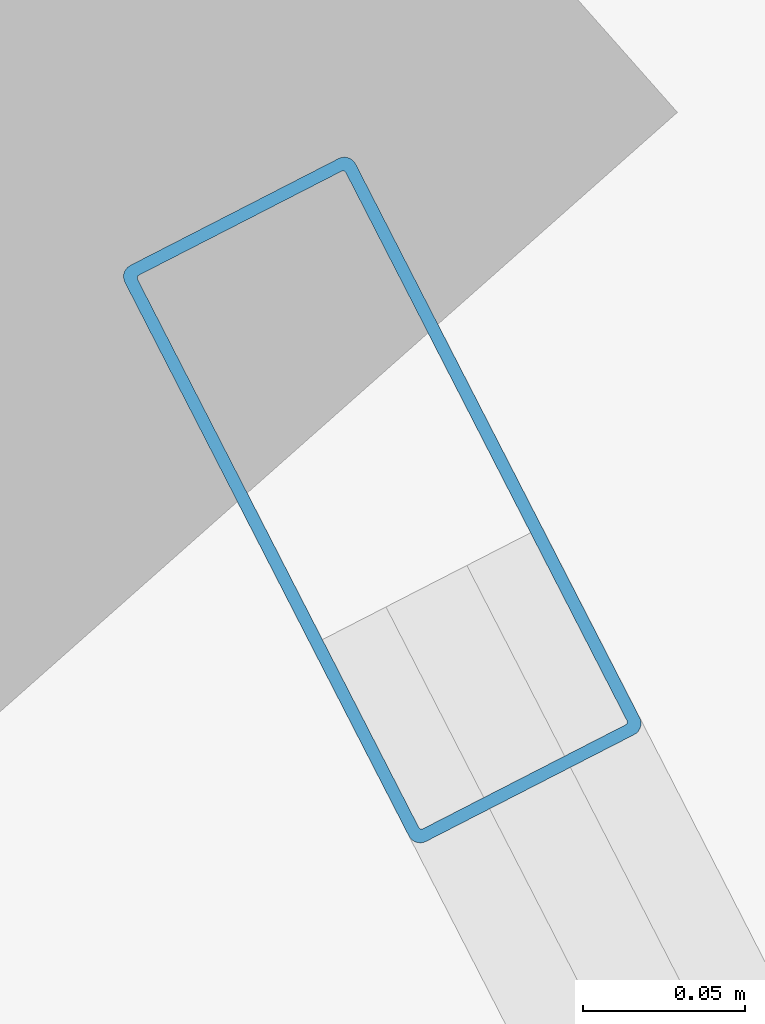
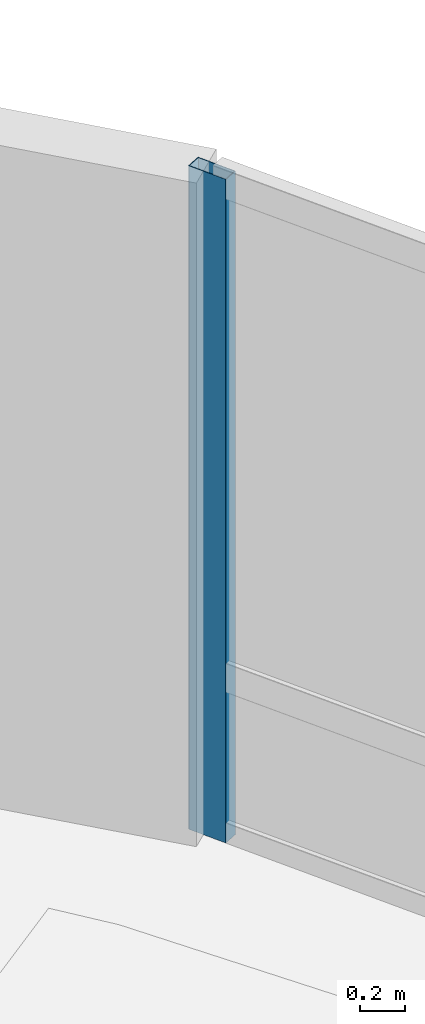
# One storey, part 16 of 23: 1 member, 1 element without a shape of its own.
"""IFC4 building model written with IfcOpenShell, lengths in metres."""

import ifcopenshell
import ifcopenshell.guid

model = None  # the IFC model being written
_history = None  # IfcOwnerHistory: only IFC2X3 demands one
_inside = {}  # id of a spatial element -> (the spatial element, [elements in it])
_under = {}  # id of a project, library or spatial element -> (it, [spatial elements below it])
_declared = {}  # id of a project -> (the project, [libraries it declares])
_typed = {}  # id of a type object -> (the type object, [elements of that type])
_made_of = {}  # id of a material, layer set ... -> (it, [elements and type objects made of it])


def new_model(schema):
    """Start an empty IFC model of exactly this schema.

    Asked for "IFC4X3", IfcOpenShell would pick the latest addendum, in which some entities
    have other attributes; the version numbers below select the first issue.
    IFC2X3 requires an IfcOwnerHistory on every rooted entity: one is made here for all.
    """
    global model, _history
    if schema == "IFC4X3":
        model = ifcopenshell.file(schema_version=(4, 3, 0, 0))
    else:
        model = ifcopenshell.file(schema=schema)
    _inside.clear()
    _under.clear()
    _declared.clear()
    _typed.clear()
    _made_of.clear()
    _history = None
    if model.schema == "IFC2X3":
        org = make("IfcOrganization", Name="unknown")
        user = make(
            "IfcPersonAndOrganization",
            ThePerson=make("IfcPerson", FamilyName="unknown"),
            TheOrganization=org,
        )
        app = make(
            "IfcApplication",
            ApplicationDeveloper=org,
            Version="unknown",
            ApplicationFullName="unknown",
            ApplicationIdentifier="unknown",
        )
        _history = make(
            "IfcOwnerHistory",
            OwningUser=user,
            OwningApplication=app,
            ChangeAction="ADDED",
            CreationDate=0,
        )
    return model


def make(cls, **values):
    """One entity of the class cls with the attributes given. An attribute that is None is left unset."""
    return model.create_entity(
        cls, **{name: value for name, value in values.items() if value is not None}
    )


def rooted(cls, **values):
    """An entity with a GlobalId (a new one), such as an element, a storey or a relation."""
    return make(cls, GlobalId=ifcopenshell.guid.new(), OwnerHistory=_history, **values)


def si_unit(unit_type, name, prefix=None):
    """IfcSIUnit, for example si_unit("LENGTHUNIT", "METRE", prefix="MILLI")."""
    return make("IfcSIUnit", UnitType=unit_type, Prefix=prefix, Name=name)


def assignment(units):
    """IfcUnitAssignment: the units of a project."""
    return None if units is None else make("IfcUnitAssignment", Units=units)


def point(xyz):
    """IfcCartesianPoint."""
    return None if xyz is None else make("IfcCartesianPoint", Coordinates=xyz)


def direction(xyz):
    """IfcDirection."""
    return None if xyz is None else make("IfcDirection", DirectionRatios=xyz)


def frame(location, z_axis=None, x_axis=None):
    """IfcAxis2Placement3D, a coordinate frame: its origin and axes. An axis left out is left unset."""
    return make(
        "IfcAxis2Placement3D",
        Location=point(location),
        Axis=direction(z_axis),
        RefDirection=direction(x_axis),
    )


def frame_2d(location, x_axis=None):
    """IfcAxis2Placement2D, a coordinate frame in the plane: its origin and x axis."""
    return make(
        "IfcAxis2Placement2D", Location=point(location), RefDirection=direction(x_axis)
    )


def origin():
    """The frame at (0, 0, 0) with its axes left unset."""
    return frame((0.0, 0.0, 0.0))


def origin_2d():
    """The frame at (0, 0) in the plane with its x axis left unset."""
    return frame_2d((0.0, 0.0))


def place(relative_to, where):
    """IfcLocalPlacement: puts the frame where relative to a parent placement (None: the world)."""
    return make(
        "IfcLocalPlacement", PlacementRelTo=relative_to, RelativePlacement=where
    )


def context(
    kind, dimensions, precision=None, world=None, true_north=None, identifier=None
):
    """IfcGeometricRepresentationContext, for example the 3D "Model" context."""
    return make(
        "IfcGeometricRepresentationContext",
        ContextIdentifier=identifier,
        ContextType=kind,
        CoordinateSpaceDimension=dimensions,
        Precision=precision,
        WorldCoordinateSystem=world,
        TrueNorth=true_north,
    )


def subcontext(parent, identifier, kind, view, scale=None):
    """IfcGeometricRepresentationSubContext, for example "Body" below "Model"."""
    return make(
        "IfcGeometricRepresentationSubContext",
        ContextIdentifier=identifier,
        ContextType=kind,
        ParentContext=parent,
        TargetScale=scale,
        TargetView=view,
    )


def project(units=None, contexts=None):
    """IfcProject with its units and contexts."""
    return rooted(
        "IfcProject",
        Name="project",
        RepresentationContexts=contexts,
        UnitsInContext=assignment(units),
    )


def spatial(cls, under=None, at=None, **own):
    """A site, building, storey or space (cls), placed at a placement, below another one or the project."""
    s = rooted(cls, ObjectPlacement=at, **own)
    if under is not None:
        _under.setdefault(under.id(), (under, []))[1].append(s)
    return s


def profile(cls, at=None, kind="AREA", **sizes):
    """A parametric profile (cls). Its sizes go by their IFC names, for example OverallWidth=200.0."""
    return make(cls, ProfileType=kind, Position=at, **sizes)


def hollow_rectangle(**sizes):
    """IfcRectangleHollowProfileDef."""
    return profile("IfcRectangleHollowProfileDef", **sizes)


def extrude(swept, where, along, depth):
    """IfcExtrudedAreaSolid: the profile swept, set in the frame where, extruded along a direction by depth."""
    return make(
        "IfcExtrudedAreaSolid",
        SweptArea=swept,
        Position=where,
        ExtrudedDirection=direction(along),
        Depth=depth,
    )


def shape(context_of_items, identifier, shape_type, items):
    """IfcShapeRepresentation: the items that make up one representation, for example the "Body"."""
    return make(
        "IfcShapeRepresentation",
        ContextOfItems=context_of_items,
        RepresentationIdentifier=identifier,
        RepresentationType=shape_type,
        Items=items,
    )


def material(Name=None, Category=None):
    """IfcMaterial."""
    return make("IfcMaterial", Name=Name, Category=Category)


def layer(
    of_material, thickness, ventilated=None, Name=None, Category=None, Priority=None
):
    """IfcMaterialLayer: one layer of a wall or slab, of a material (None: an air gap)."""
    return make(
        "IfcMaterialLayer",
        Material=of_material,
        LayerThickness=thickness,
        IsVentilated=ventilated,
        Name=Name,
        Category=Category,
        Priority=Priority,
    )


def layer_set(layers, Name=None):
    """IfcMaterialLayerSet."""
    return make("IfcMaterialLayerSet", MaterialLayers=layers, LayerSetName=Name)


def material_profile(
    of_material, cross_section, Name=None, Category=None, Priority=None
):
    """IfcMaterialProfile: a cross section and its material."""
    return make(
        "IfcMaterialProfile",
        Name=Name,
        Material=of_material,
        Profile=cross_section,
        Priority=Priority,
        Category=Category,
    )


def profile_set(profiles, Name=None, composite=None):
    """IfcMaterialProfileSet."""
    return make(
        "IfcMaterialProfileSet",
        Name=Name,
        MaterialProfiles=profiles,
        CompositeProfile=composite,
    )


def made_of(thing, what):
    """Note that an element or type object is made of a material, layer set ...; save() writes the relation."""
    if what is not None:
        _made_of.setdefault(what.id(), (what, []))[1].append(thing)
    return thing


def type_object(cls, material=None, **own):
    """A type object (cls), such as IfcWallType, which elements share."""
    return made_of(rooted(cls, **own), material)


def element(
    cls,
    number,
    at=None,
    inside=None,
    cuts=None,
    type_object=None,
    material=None,
    context=None,
    identifier="Body",
    shape_type=None,
    held_by="IfcProductDefinitionShape",
    body=None,
    shapes=None,
    **own,
):
    """One element of the class cls, such as IfcWall. Its Tag is "e" and its number.

    at: its placement. inside: the storey or other place that contains it. cuts: it is an
    opening in that element (IfcRelVoidsElement). A single representation is given by context,
    identifier, shape_type and body (its items); several are given by shapes. held_by: the class
    of the entity that holds the representations. save() writes the other relations.
    """
    e = rooted(cls, Tag="e%d" % number, ObjectPlacement=at, **own)
    if body is not None:
        shapes = [shape(context, identifier, shape_type, body)]
    if shapes is not None:
        e.Representation = make(held_by, Representations=shapes)
    if inside is not None:
        _inside.setdefault(inside.id(), (inside, []))[1].append(e)
    if cuts is not None:
        rooted(
            "IfcRelVoidsElement", RelatingBuildingElement=cuts, RelatedOpeningElement=e
        )
    if type_object is not None:
        _typed.setdefault(type_object.id(), (type_object, []))[1].append(e)
    return made_of(e, material)


def aggregate(whole, parts):
    """IfcRelAggregates: a whole, such as a stair, and the parts it consists of."""
    return rooted("IfcRelAggregates", RelatingObject=whole, RelatedObjects=parts)


def save(model, path):
    """Write the relations noted so far, then the file.

    IfcRelAggregates (storeys below a building ...), IfcRelContainedInSpatialStructure (elements
    in a storey), IfcRelDefinesByType, IfcRelAssociatesMaterial and IfcRelDeclares: one each for
    every whole, place, type object, material and project.
    """
    for whole, parts in _under.values():
        aggregate(whole, parts)
    for where, things in _inside.values():
        rooted(
            "IfcRelContainedInSpatialStructure",
            RelatedElements=things,
            RelatingStructure=where,
        )
    for kind, things in _typed.values():
        rooted("IfcRelDefinesByType", RelatedObjects=things, RelatingType=kind)
    for what, things in _made_of.values():
        rooted("IfcRelAssociatesMaterial", RelatedObjects=things, RelatingMaterial=what)
    for by, libraries in _declared.values():
        rooted("IfcRelDeclares", RelatingContext=by, RelatedDefinitions=libraries)
    model.write(path)


model = new_model("IFC4")

# Units and contexts
model_context = context("Model", 3, precision=1e-05, world=origin(), true_north=direction((0.0, 1.0)))
body_context = subcontext(model_context, "Body", "Model", "MODEL_VIEW")
ifc_project = project(units=[si_unit("LENGTHUNIT", "METRE"), si_unit("AREAUNIT", "SQUARE_METRE"), si_unit("VOLUMEUNIT", "CUBIC_METRE"), si_unit("PLANEANGLEUNIT", "RADIAN"), si_unit("MASSUNIT", "GRAM", prefix="KILO")], contexts=[model_context])

# Site, building, storey
site_placement = place(None, origin())
site = spatial("IfcSite", under=ifc_project, at=site_placement, CompositionType="ELEMENT")
building_placement = place(site_placement, origin())
building = spatial("IfcBuilding", under=site, at=building_placement, Name="Bramvorn Convention Spire", CompositionType="ELEMENT")
storey_placement = place(building_placement, frame((0.0, 0.0, 194.300048828125)))
storey = spatial("IfcBuildingStorey", under=building, at=storey_placement, Name="L49", CompositionType="ELEMENT", Elevation=194.300048828125)

# Curtain wall, member
ifc_material_1 = material(Name="Anodised Bronze Unitised Curtain Wall", Category="aluminium")
ifc_layer = layer(ifc_material_1, 0.179931640625)
ifc_layer_set = layer_set([ifc_layer], Name="Anodised Bronze Unitised Curtain Wall - CW-OFF-FRIT")
curtain_wall_type = type_object("IfcCurtainWallType", Name="CW-OFF-FRIT", PredefinedType="USERDEFINED", material=ifc_layer_set)
curtain_wall_placement = place(storey_placement, origin())
curtain_wall = element("IfcCurtainWall", 1, at=curtain_wall_placement, inside=storey, type_object=curtain_wall_type, Name="L49 fritted glass curtain wall 05", ObjectType="UNITISED CURTAIN WALL", PredefinedType="USERDEFINED")
ifc_material_2 = material(Name="Anodised Bronze Aluminium 6063-T6", Category="aluminium")
ifc_material_profile = material_profile(ifc_material_2, hollow_rectangle(XDim=0.080078125, YDim=0.199951171875, WallThickness=0.00390625, InnerFilletRadius=0.0009765625, OuterFilletRadius=0.00390625, at=origin_2d()))
ifc_profile_set = profile_set([ifc_material_profile], Name="Anodised Bronze Aluminium 6063-T6 - CWM80X200")
member_type = type_object("IfcMemberType", Name="CW-MUL-180", PredefinedType="MULLION", material=ifc_profile_set)
member_placement = place(storey_placement, frame((55.818359375, 37.722412109375, 0.0), z_axis=(0.0, 0.0, 1.0), x_axis=(0.889742233233, 0.456463315505, 0.0)))
member = element("IfcMember", 2, at=member_placement, type_object=member_type, Name="CW3 mullion 1", PredefinedType="MULLION", context=body_context, shape_type="SweptSolid", body=[
    extrude(hollow_rectangle(XDim=0.080078125, YDim=0.199951171875, WallThickness=0.00390625, InnerFilletRadius=0.0009765625, OuterFilletRadius=0.00390625, at=origin_2d()), origin(), (0.0, 0.0, 1.0), 3.619873046875),
])
aggregate(curtain_wall, [member])

save(model, "model.ifc")
